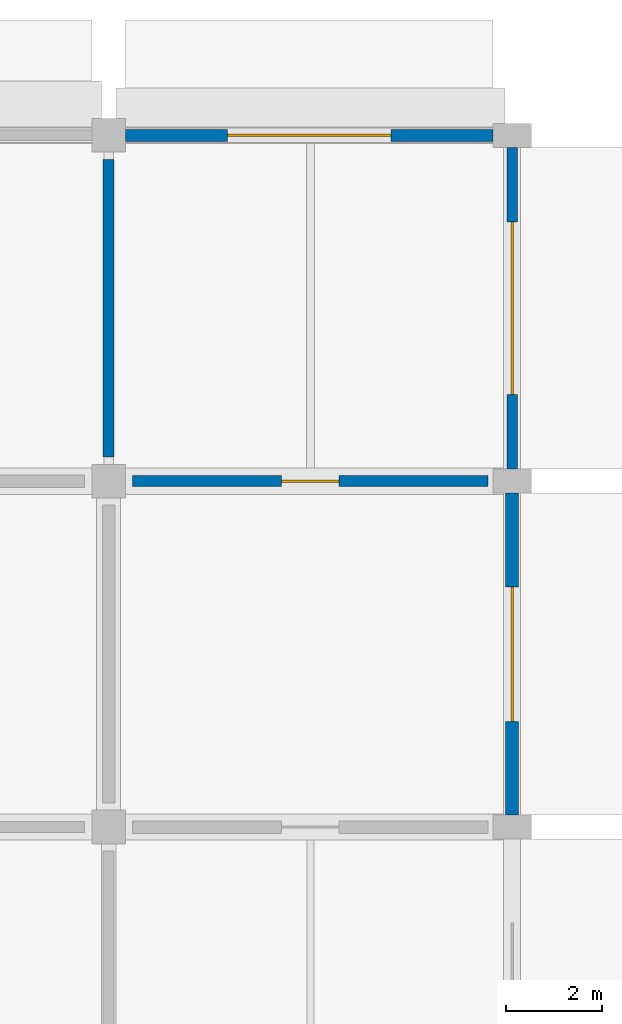
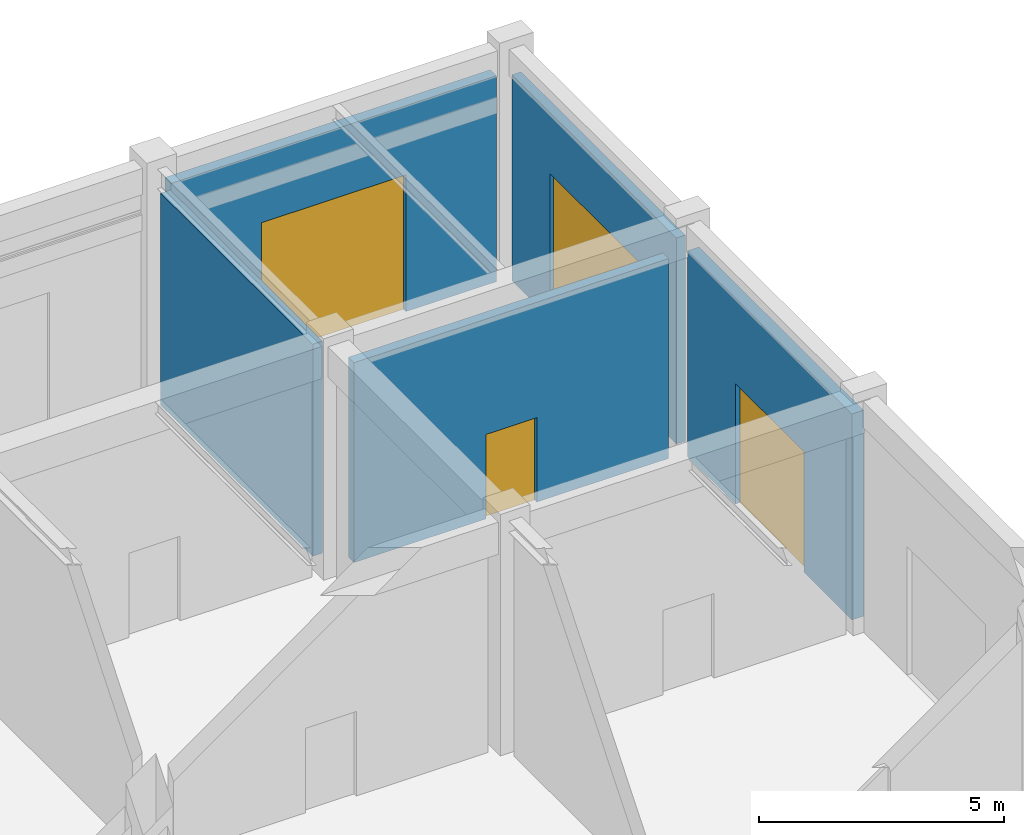
# One storey, part 27 of 39: 5 walls, 4 doors, 4 openings.
"""IFC4 building model written with IfcOpenShell, lengths in metres."""

import ifcopenshell
import ifcopenshell.guid

model = None  # the IFC model being written
_history = None  # IfcOwnerHistory: only IFC2X3 demands one
_inside = {}  # id of a spatial element -> (the spatial element, [elements in it])
_under = {}  # id of a project, library or spatial element -> (it, [spatial elements below it])
_declared = {}  # id of a project -> (the project, [libraries it declares])
_typed = {}  # id of a type object -> (the type object, [elements of that type])
_made_of = {}  # id of a material, layer set ... -> (it, [elements and type objects made of it])


def new_model(schema):
    """Start an empty IFC model of exactly this schema.

    Asked for "IFC4X3", IfcOpenShell would pick the latest addendum, in which some entities
    have other attributes; the version numbers below select the first issue.
    IFC2X3 requires an IfcOwnerHistory on every rooted entity: one is made here for all.
    """
    global model, _history
    if schema == "IFC4X3":
        model = ifcopenshell.file(schema_version=(4, 3, 0, 0))
    else:
        model = ifcopenshell.file(schema=schema)
    _inside.clear()
    _under.clear()
    _declared.clear()
    _typed.clear()
    _made_of.clear()
    _history = None
    if model.schema == "IFC2X3":
        org = make("IfcOrganization", Name="unknown")
        user = make(
            "IfcPersonAndOrganization",
            ThePerson=make("IfcPerson", FamilyName="unknown"),
            TheOrganization=org,
        )
        app = make(
            "IfcApplication",
            ApplicationDeveloper=org,
            Version="unknown",
            ApplicationFullName="unknown",
            ApplicationIdentifier="unknown",
        )
        _history = make(
            "IfcOwnerHistory",
            OwningUser=user,
            OwningApplication=app,
            ChangeAction="ADDED",
            CreationDate=0,
        )
    return model


def make(cls, **values):
    """One entity of the class cls with the attributes given. An attribute that is None is left unset."""
    return model.create_entity(
        cls, **{name: value for name, value in values.items() if value is not None}
    )


def rooted(cls, **values):
    """An entity with a GlobalId (a new one), such as an element, a storey or a relation."""
    return make(cls, GlobalId=ifcopenshell.guid.new(), OwnerHistory=_history, **values)


def si_unit(unit_type, name, prefix=None):
    """IfcSIUnit, for example si_unit("LENGTHUNIT", "METRE", prefix="MILLI")."""
    return make("IfcSIUnit", UnitType=unit_type, Prefix=prefix, Name=name)


def derived_unit(unit_type, elements):
    """IfcDerivedUnit: a product of units, each with its exponent."""
    return make(
        "IfcDerivedUnit",
        Elements=[
            make("IfcDerivedUnitElement", Unit=unit, Exponent=power)
            for unit, power in elements
        ],
        UnitType=unit_type,
    )


def assignment(units):
    """IfcUnitAssignment: the units of a project."""
    return None if units is None else make("IfcUnitAssignment", Units=units)


def point(xyz):
    """IfcCartesianPoint."""
    return None if xyz is None else make("IfcCartesianPoint", Coordinates=xyz)


def direction(xyz):
    """IfcDirection."""
    return None if xyz is None else make("IfcDirection", DirectionRatios=xyz)


def frame(location, z_axis=None, x_axis=None):
    """IfcAxis2Placement3D, a coordinate frame: its origin and axes. An axis left out is left unset."""
    return make(
        "IfcAxis2Placement3D",
        Location=point(location),
        Axis=direction(z_axis),
        RefDirection=direction(x_axis),
    )


def frame_2d(location, x_axis=None):
    """IfcAxis2Placement2D, a coordinate frame in the plane: its origin and x axis."""
    return make(
        "IfcAxis2Placement2D", Location=point(location), RefDirection=direction(x_axis)
    )


def origin():
    """The frame at (0, 0, 0) with its axes left unset."""
    return frame((0.0, 0.0, 0.0))


def place(relative_to, where):
    """IfcLocalPlacement: puts the frame where relative to a parent placement (None: the world)."""
    return make(
        "IfcLocalPlacement", PlacementRelTo=relative_to, RelativePlacement=where
    )


def context(
    kind, dimensions, precision=None, world=None, true_north=None, identifier=None
):
    """IfcGeometricRepresentationContext, for example the 3D "Model" context."""
    return make(
        "IfcGeometricRepresentationContext",
        ContextIdentifier=identifier,
        ContextType=kind,
        CoordinateSpaceDimension=dimensions,
        Precision=precision,
        WorldCoordinateSystem=world,
        TrueNorth=true_north,
    )


def subcontext(parent, identifier, kind, view, scale=None):
    """IfcGeometricRepresentationSubContext, for example "Body" below "Model"."""
    return make(
        "IfcGeometricRepresentationSubContext",
        ContextIdentifier=identifier,
        ContextType=kind,
        ParentContext=parent,
        TargetScale=scale,
        TargetView=view,
    )


def project(units=None, contexts=None):
    """IfcProject with its units and contexts."""
    return rooted(
        "IfcProject",
        Name="project",
        RepresentationContexts=contexts,
        UnitsInContext=assignment(units),
    )


def spatial(cls, under=None, at=None, **own):
    """A site, building, storey or space (cls), placed at a placement, below another one or the project."""
    s = rooted(cls, ObjectPlacement=at, **own)
    if under is not None:
        _under.setdefault(under.id(), (under, []))[1].append(s)
    return s


def profile(cls, at=None, kind="AREA", **sizes):
    """A parametric profile (cls). Its sizes go by their IFC names, for example OverallWidth=200.0."""
    return make(cls, ProfileType=kind, Position=at, **sizes)


def rectangle(**sizes):
    """IfcRectangleProfileDef."""
    return profile("IfcRectangleProfileDef", **sizes)


def extrude(swept, where, along, depth):
    """IfcExtrudedAreaSolid: the profile swept, set in the frame where, extruded along a direction by depth."""
    return make(
        "IfcExtrudedAreaSolid",
        SweptArea=swept,
        Position=where,
        ExtrudedDirection=direction(along),
        Depth=depth,
    )


def shape(context_of_items, identifier, shape_type, items):
    """IfcShapeRepresentation: the items that make up one representation, for example the "Body"."""
    return make(
        "IfcShapeRepresentation",
        ContextOfItems=context_of_items,
        RepresentationIdentifier=identifier,
        RepresentationType=shape_type,
        Items=items,
    )


def material(Name=None, Category=None):
    """IfcMaterial."""
    return make("IfcMaterial", Name=Name, Category=Category)


def layer(
    of_material, thickness, ventilated=None, Name=None, Category=None, Priority=None
):
    """IfcMaterialLayer: one layer of a wall or slab, of a material (None: an air gap)."""
    return make(
        "IfcMaterialLayer",
        Material=of_material,
        LayerThickness=thickness,
        IsVentilated=ventilated,
        Name=Name,
        Category=Category,
        Priority=Priority,
    )


def layer_set(layers, Name=None):
    """IfcMaterialLayerSet."""
    return make("IfcMaterialLayerSet", MaterialLayers=layers, LayerSetName=Name)


def made_of(thing, what):
    """Note that an element or type object is made of a material, layer set ...; save() writes the relation."""
    if what is not None:
        _made_of.setdefault(what.id(), (what, []))[1].append(thing)
    return thing


def type_object(cls, material=None, **own):
    """A type object (cls), such as IfcWallType, which elements share."""
    return made_of(rooted(cls, **own), material)


def element(
    cls,
    number,
    at=None,
    inside=None,
    cuts=None,
    type_object=None,
    material=None,
    context=None,
    identifier="Body",
    shape_type=None,
    held_by="IfcProductDefinitionShape",
    body=None,
    shapes=None,
    **own,
):
    """One element of the class cls, such as IfcWall. Its Tag is "e" and its number.

    at: its placement. inside: the storey or other place that contains it. cuts: it is an
    opening in that element (IfcRelVoidsElement). A single representation is given by context,
    identifier, shape_type and body (its items); several are given by shapes. held_by: the class
    of the entity that holds the representations. save() writes the other relations.
    """
    e = rooted(cls, Tag="e%d" % number, ObjectPlacement=at, **own)
    if body is not None:
        shapes = [shape(context, identifier, shape_type, body)]
    if shapes is not None:
        e.Representation = make(held_by, Representations=shapes)
    if inside is not None:
        _inside.setdefault(inside.id(), (inside, []))[1].append(e)
    if cuts is not None:
        rooted(
            "IfcRelVoidsElement", RelatingBuildingElement=cuts, RelatedOpeningElement=e
        )
    if type_object is not None:
        _typed.setdefault(type_object.id(), (type_object, []))[1].append(e)
    return made_of(e, material)


def fill(opening, filler):
    """IfcRelFillsElement: the door or window that sits in an opening."""
    return rooted(
        "IfcRelFillsElement",
        RelatingOpeningElement=opening,
        RelatedBuildingElement=filler,
    )


def aggregate(whole, parts):
    """IfcRelAggregates: a whole, such as a stair, and the parts it consists of."""
    return rooted("IfcRelAggregates", RelatingObject=whole, RelatedObjects=parts)


def save(model, path):
    """Write the relations noted so far, then the file.

    IfcRelAggregates (storeys below a building ...), IfcRelContainedInSpatialStructure (elements
    in a storey), IfcRelDefinesByType, IfcRelAssociatesMaterial and IfcRelDeclares: one each for
    every whole, place, type object, material and project.
    """
    for whole, parts in _under.values():
        aggregate(whole, parts)
    for where, things in _inside.values():
        rooted(
            "IfcRelContainedInSpatialStructure",
            RelatedElements=things,
            RelatingStructure=where,
        )
    for kind, things in _typed.values():
        rooted("IfcRelDefinesByType", RelatedObjects=things, RelatingType=kind)
    for what, things in _made_of.values():
        rooted("IfcRelAssociatesMaterial", RelatedObjects=things, RelatingMaterial=what)
    for by, libraries in _declared.values():
        rooted("IfcRelDeclares", RelatingContext=by, RelatedDefinitions=libraries)
    model.write(path)


model = new_model("IFC4")

# Units and contexts
model_context = context("Model", 3, precision=1e-05, world=origin(), true_north=direction((0.0, 1.0)))
body_context = subcontext(model_context, "Body", "Model", "MODEL_VIEW")
ifc_project = project(units=[si_unit("LENGTHUNIT", "METRE"), si_unit("AREAUNIT", "SQUARE_METRE"), si_unit("VOLUMEUNIT", "CUBIC_METRE"), si_unit("PLANEANGLEUNIT", "RADIAN"), si_unit("MASSUNIT", "GRAM", prefix="KILO"), derived_unit("THERMALTRANSMITTANCEUNIT", [(si_unit("MASSUNIT", "GRAM", prefix="KILO"), 1), (si_unit("TIMEUNIT", "SECOND"), -3), (si_unit("THERMODYNAMICTEMPERATUREUNIT", "KELVIN"), -1)])], contexts=[model_context])

# Site, building, storey
site_placement = place(None, origin())
site = spatial("IfcSite", under=ifc_project, at=site_placement, CompositionType="ELEMENT")
building_placement = place(site_placement, origin())
building = spatial("IfcBuilding", under=site, at=building_placement, Name="Veldstrom Oceanarium and Marine Research Institute", CompositionType="ELEMENT")
storey_placement = place(building_placement, origin())
storey = spatial("IfcBuildingStorey", under=building, at=storey_placement, Name="L00", CompositionType="ELEMENT", Elevation=0.0)

# Wall, opening, door
ifc_material_1 = material(Name="Masonry Cavity Wall", Category="masonry")
ifc_layer_1 = layer(ifc_material_1, 0.27001953125)
ifc_layer_set_1 = layer_set([ifc_layer_1], Name="ARC-WAL-EW3")
wall_type_1 = type_object("IfcWallType", Name="ARC-WAL-EW3", PredefinedType="SOLIDWALL", material=ifc_layer_set_1)
wall_1_placement = place(storey_placement, frame((168.0, 101.050048828125, 0.0), z_axis=(0.0, 0.0, 1.0), x_axis=(0.0, 1.0, 0.0)))
wall_1 = element("IfcWall", 1, at=wall_1_placement, inside=storey, type_object=wall_type_1, Name="Exterior Facade Wall EW3 L00-060", PredefinedType="SOLIDWALL", context=body_context, shape_type="SweptSolid", body=[
    extrude(rectangle(XDim=6.699951171875, YDim=0.27001953125, at=frame_2d((3.35009765625, 0.0))), origin(), (0.0, 0.0, 1.0), 5.1201171875),
])
opening_1_placement = place(wall_1_placement, frame((1.949951171875, 0.0, 0.0)))
opening_1 = element("IfcOpeningElement", 2, at=opening_1_placement, cuts=wall_1, Name="Opening G-L00-07", PredefinedType="OPENING", context=body_context, shape_type="SweptSolid", body=[
    extrude(rectangle(XDim=2.800048828125, YDim=3.0, at=frame_2d((1.39990234375, 1.5))), frame((0.0, 0.14501953125, 0.0), z_axis=(0.0, -1.0, 0.0), x_axis=(1.0, 0.0, 0.0)), (0.0, 0.0, 1.0), 0.2900390625),
])
ifc_material_2 = material(Name="Galvanised Plant Access Shutter", Category="steel")
door_type_1 = type_object("IfcDoorType", Name="ARC-DOR-GT3", OperationType="ROLLINGUP", PredefinedType="GATE", material=ifc_material_2)
door_1_placement = place(opening_1_placement, frame((2.800048828125, 0.0, 0.0), z_axis=(0.0, 0.0, 1.0), x_axis=(-1.0, 0.0, 0.0)))
door_1 = element("IfcDoor", 3, at=door_1_placement, inside=storey, type_object=door_type_1, Name="Roller Shutter Gate G-L00-07", OperationType="ROLLINGUP", OverallHeight=3.0, OverallWidth=2.800048828125, PredefinedType="GATE", context=body_context, shape_type="SweptSolid", body=[
    extrude(rectangle(XDim=2.800048828125, YDim=3.0, at=frame_2d((1.39990234375, 1.5))), frame((0.0, 0.02490234375, 0.0), z_axis=(0.0, -1.0, 0.0), x_axis=(1.0, 0.0, 0.0)), (0.0, 0.0, 1.0), 0.050048828125),
])
fill(opening_1, door_1)

ifc_material_3 = material(Name="Masonry Cavity Wall", Category="masonry")
ifc_layer_2 = layer(ifc_material_3, 0.25)
ifc_layer_set_2 = layer_set([ifc_layer_2], Name="ARC-WAL-EW5")
wall_type_2 = type_object("IfcWallType", Name="ARC-WAL-EW5", PredefinedType="SOLIDWALL", material=ifc_layer_set_2)
wall_2_placement = place(storey_placement, frame((159.949951171875, 115.199951171875, 0.0), z_axis=(0.0, 0.0, 1.0), x_axis=(1.0, 0.0, 0.0)))
wall_2 = element("IfcWall", 4, at=wall_2_placement, inside=storey, type_object=wall_type_2, Name="Exterior Facade Wall EW5 L00-061", PredefinedType="SOLIDWALL", context=body_context, shape_type="SweptSolid", body=[
    extrude(rectangle(XDim=7.650146484375, YDim=0.25, at=frame_2d((3.8251953125, 0.0))), origin(), (0.0, 0.0, 1.0), 5.1201171875),
])
opening_2_placement = place(wall_2_placement, frame((2.125, 0.0, 0.0)))
opening_2 = element("IfcOpeningElement", 5, at=opening_2_placement, cuts=wall_2, Name="Opening G-L00-08", PredefinedType="OPENING", context=body_context, shape_type="SweptSolid", body=[
    extrude(rectangle(XDim=3.39990234375, YDim=3.39990234375, at=frame_2d((1.699951171875, 1.699951171875))), frame((0.0, 0.135009765625, 0.0), z_axis=(0.0, -1.0, 0.0), x_axis=(1.0, 0.0, 0.0)), (0.0, 0.0, 1.0), 0.27001953125),
])
ifc_material_4 = material(Name="Biosecure Dock Shutter", Category="steel")
door_type_2 = type_object("IfcDoorType", Name="ARC-DOR-GT4", OperationType="ROLLINGUP", PredefinedType="GATE", material=ifc_material_4)
door_2_placement = place(opening_2_placement, origin())
door_2 = element("IfcDoor", 6, at=door_2_placement, inside=storey, type_object=door_type_2, Name="Roller Shutter Gate G-L00-08", OperationType="ROLLINGUP", OverallHeight=3.39990234375, OverallWidth=3.39990234375, PredefinedType="GATE", context=body_context, shape_type="SweptSolid", body=[
    extrude(rectangle(XDim=3.39990234375, YDim=3.39990234375, at=frame_2d((1.699951171875, 1.699951171875))), frame((0.0, 0.02490234375, 0.0), z_axis=(0.0, -1.0, 0.0), x_axis=(1.0, 0.0, 0.0)), (0.0, 0.0, 1.0), 0.050048828125),
])
fill(opening_2, door_2)

ifc_material_5 = material(Name="Masonry Cavity Wall", Category="masonry")
ifc_layer_3 = layer(ifc_material_5, 0.215087890625)
ifc_layer_set_3 = layer_set([ifc_layer_3], Name="ARC-WAL-EW6")
wall_type_3 = type_object("IfcWallType", Name="ARC-WAL-EW6", PredefinedType="SOLIDWALL", material=ifc_layer_set_3)
wall_3_placement = place(storey_placement, frame((168.0, 108.25, 0.0), z_axis=(0.0, 0.0, 1.0), x_axis=(0.0, 1.0, 0.0)))
wall_3 = element("IfcWall", 7, at=wall_3_placement, inside=storey, type_object=wall_type_3, Name="Exterior Facade Wall EW6 L00-062", PredefinedType="SOLIDWALL", context=body_context, shape_type="SweptSolid", body=[
    extrude(rectangle(XDim=6.699951171875, YDim=0.215087890625, at=frame_2d((3.35009765625, 0.0))), origin(), (0.0, 0.0, 1.0), 5.1201171875),
])
opening_3_placement = place(wall_3_placement, frame((1.550048828125, 0.0, 0.0)))
opening_3 = element("IfcOpeningElement", 8, at=opening_3_placement, cuts=wall_3, Name="Opening G-L00-09", PredefinedType="OPENING", context=body_context, shape_type="SweptSolid", body=[
    extrude(rectangle(XDim=3.60009765625, YDim=3.60009765625, at=frame_2d((1.800048828125, 1.800048828125))), frame((0.0, 0.117431640625, 0.0), z_axis=(0.0, -1.0, 0.0), x_axis=(1.0, 0.0, 0.0)), (0.0, 0.0, 1.0), 0.235107421875),
])
ifc_material_6 = material(Name="Insulated Steel Quarantine Shutter", Category="steel")
door_type_3 = type_object("IfcDoorType", Name="ARC-DOR-GT1", OperationType="ROLLINGUP", PredefinedType="GATE", material=ifc_material_6)
door_3_placement = place(opening_3_placement, frame((3.60009765625, 0.0, 0.0), z_axis=(0.0, 0.0, 1.0), x_axis=(-1.0, 0.0, 0.0)))
door_3 = element("IfcDoor", 9, at=door_3_placement, inside=storey, type_object=door_type_3, Name="Roller Shutter Gate G-L00-09", OperationType="ROLLINGUP", OverallHeight=3.60009765625, OverallWidth=3.60009765625, PredefinedType="GATE", context=body_context, shape_type="SweptSolid", body=[
    extrude(rectangle(XDim=3.60009765625, YDim=3.60009765625, at=frame_2d((1.800048828125, 1.800048828125))), frame((0.0, 0.02490234375, 0.0), z_axis=(0.0, -1.0, 0.0), x_axis=(1.0, 0.0, 0.0)), (0.0, 0.0, 1.0), 0.050048828125),
])
fill(opening_3, door_3)

# Wall
ifc_material_7 = material(Name="Masonry Fire Compartment Wall", Category="masonry")
ifc_layer_4 = layer(ifc_material_7, 0.22998046875)
ifc_layer_set_4 = layer_set([ifc_layer_4], Name="ARC-WAL-PT1")
wall_type_4 = type_object("IfcWallType", Name="ARC-WAL-PT1", PredefinedType="PARTITIONING", material=ifc_layer_set_4)
wall_4_placement = place(storey_placement, frame((159.60009765625, 108.5, 0.0), z_axis=(0.0, 0.0, 1.0), x_axis=(0.0, 1.0, 0.0)))
element("IfcWall", 10, at=wall_4_placement, inside=storey, type_object=wall_type_4, Name="Interior Partition PT1 L00-0815", PredefinedType="PARTITIONING", context=body_context, shape_type="SweptSolid", body=[
    extrude(rectangle(XDim=6.199951171875, YDim=0.22998046875, at=frame_2d((3.10009765625, 0.0))), origin(), (0.0, 0.0, 1.0), 5.27001953125),
])

# Wall, opening, door
wall_5_placement = place(storey_placement, frame((160.10009765625, 108.0, 0.0), z_axis=(0.0, 0.0, 1.0), x_axis=(1.0, 0.0, 0.0)))
wall_5 = element("IfcWall", 11, at=wall_5_placement, inside=storey, type_object=wall_type_4, Name="Interior Partition PT1 L00-0822", PredefinedType="PARTITIONING", context=body_context, shape_type="SweptSolid", body=[
    extrude(rectangle(XDim=7.39990234375, YDim=0.22998046875, at=frame_2d((3.699951171875, 0.0))), origin(), (0.0, 0.0, 1.0), 4.969970703125),
])
opening_4_placement = place(wall_5_placement, frame((3.10009765625, 0.0, 0.0)))
opening_4 = element("IfcOpeningElement", 12, at=opening_4_placement, cuts=wall_5, Name="Opening D-L00-473", PredefinedType="OPENING", context=body_context, shape_type="SweptSolid", body=[
    extrude(rectangle(XDim=1.199951171875, YDim=2.10009765625, at=frame_2d((0.60009765625, 1.050048828125))), frame((0.0, 0.125, 0.0), z_axis=(0.0, -1.0, 0.0), x_axis=(1.0, 0.0, 0.0)), (0.0, 0.0, 1.0), 0.25),
])
ifc_material_8 = material(Name="Quarantine Biosecure Door", Category="steel")
door_type_4 = type_object("IfcDoorType", Name="ARC-DOR-ID06", OperationType="SINGLE_SWING_RIGHT", PredefinedType="DOOR", material=ifc_material_8)
door_4_placement = place(opening_4_placement, frame((1.199951171875, 0.0, 0.0), z_axis=(0.0, 0.0, 1.0), x_axis=(-1.0, 0.0, 0.0)))
door_4 = element("IfcDoor", 13, at=door_4_placement, inside=storey, type_object=door_type_4, Name="Interior Door D-L00-473", OperationType="SINGLE_SWING_LEFT", OverallHeight=2.10009765625, OverallWidth=1.199951171875, PredefinedType="DOOR", context=body_context, shape_type="SweptSolid", body=[
    extrude(rectangle(XDim=1.199951171875, YDim=2.10009765625, at=frame_2d((0.60009765625, 1.050048828125))), frame((0.0, 0.02490234375, 0.0), z_axis=(0.0, -1.0, 0.0), x_axis=(1.0, 0.0, 0.0)), (0.0, 0.0, 1.0), 0.050048828125),
])
fill(opening_4, door_4)

save(model, "model.ifc")
